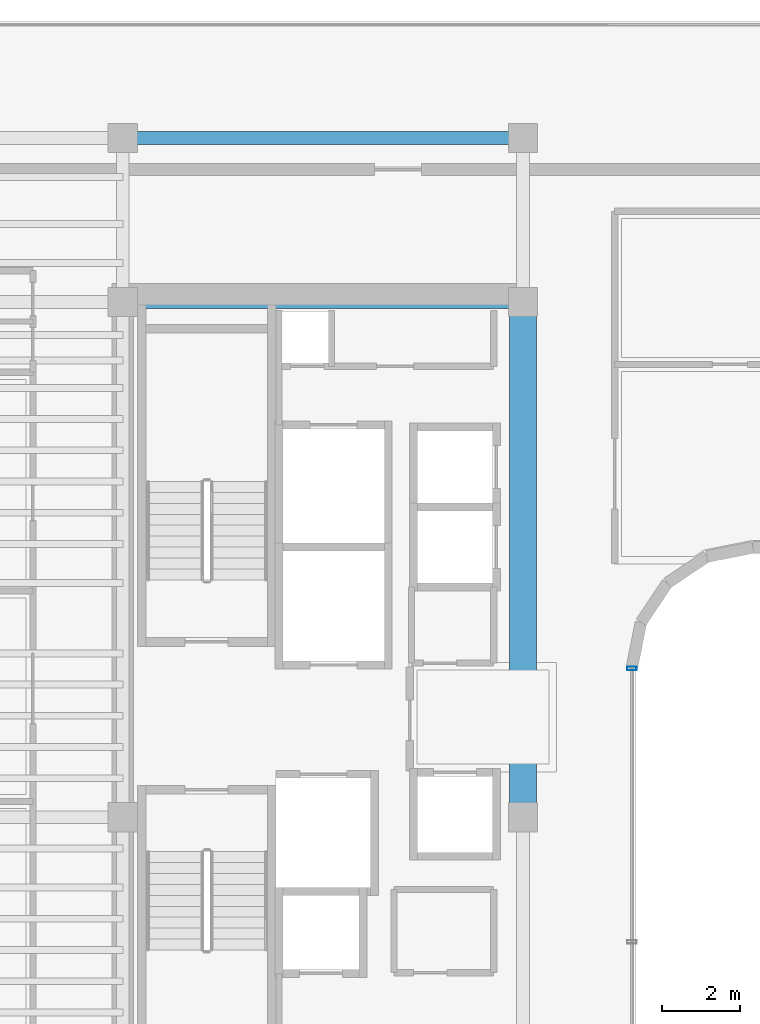
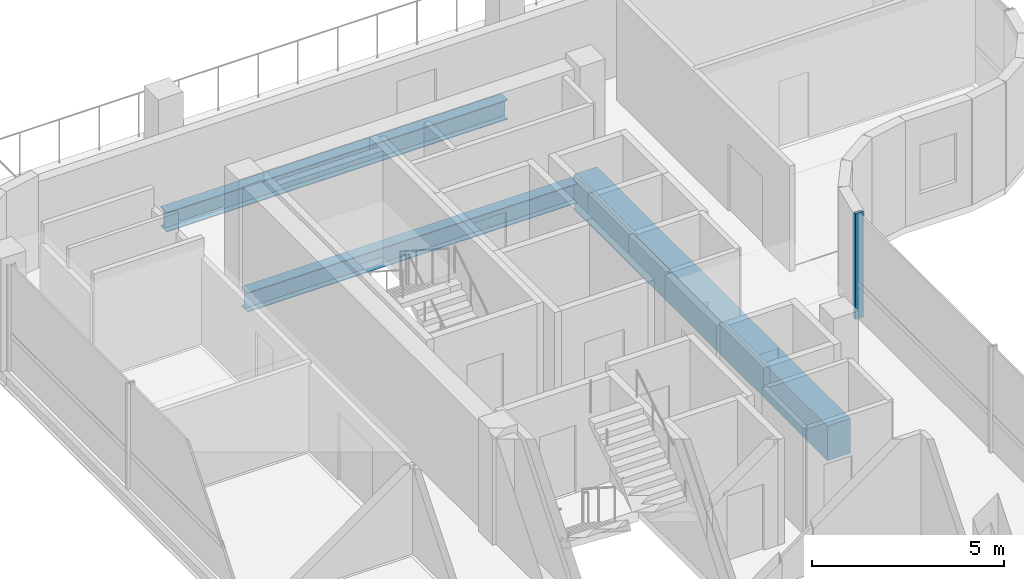
# One storey, part 6 of 13: 3 beams, 1 member, 1 element without a shape of its own.
"""IFC4 building model written with IfcOpenShell, lengths in metres."""

from ifc_helpers import new_model, si_unit, direction, frame, origin, origin_2d, place, context, subcontext, project, spatial, rectangle, hollow_rectangle, i_section, extrude, source, transform, mapped, material, material_profile, profile_set, type_object, element, aggregate, save


model = new_model("IFC4")

# Units and contexts
model_context = context("Model", 3, precision=1e-05, world=origin(), true_north=direction((0.0, 1.0)))
body_context = subcontext(model_context, "Body", "Model", "MODEL_VIEW")
ifc_project = project(units=[si_unit("LENGTHUNIT", "METRE"), si_unit("AREAUNIT", "SQUARE_METRE"), si_unit("VOLUMEUNIT", "CUBIC_METRE"), si_unit("PLANEANGLEUNIT", "RADIAN"), si_unit("MASSUNIT", "GRAM", prefix="KILO")], contexts=[model_context])

# Site, building, storey
site_placement = place(None, origin())
site = spatial("IfcSite", under=ifc_project, at=site_placement, CompositionType="ELEMENT")
building_placement = place(site_placement, origin())
building = spatial("IfcBuilding", under=site, at=building_placement, Name="Valdorenza Pilgrim Sanctuary Tower", CompositionType="ELEMENT")
storey_placement = place(building_placement, frame((0.0, 0.0, 290.60009765625)))
storey = spatial("IfcBuildingStorey", under=building, at=storey_placement, Name="L76", CompositionType="ELEMENT", Elevation=290.60009765625)

# Beams
ifc_material_1 = material(Name="Concrete C50/60", Category="concrete")
ifc_material_profile_1 = material_profile(ifc_material_1, rectangle(XDim=0.699951171875, YDim=1.10009765625, at=origin_2d()), Name="RC 1100x700")
ifc_profile_set_1 = profile_set([ifc_material_profile_1], Name="Concrete C50/60")
beam_type_1 = type_object("IfcBeamType", Name="STR-BM-LNT-1100", PredefinedType="LINTEL", material=ifc_profile_set_1)
shared_shape_1 = source(origin(), body_context, "Body", "SweptSolid", [
    extrude(rectangle(XDim=0.699951171875, YDim=1.10009765625, at=origin_2d()), origin(), (0.0, 0.0, 1.0), 13.2001953125),
])
beam_placement = place(storey_placement, frame((-12.39990234375, -2.60009765625, -0.590087890625), z_axis=(0.0, 1.0, 0.0), x_axis=(-1.0, 0.0, 0.0)))
element("IfcBeam", 1, at=beam_placement, inside=storey, type_object=beam_type_1, Name="L76 Core A Coupling Lintel Girder", PredefinedType="LINTEL", context=body_context, shape_type="MappedRepresentation", body=[
    mapped(shared_shape_1, transform((0.0, 0.0, 0.0), x_axis=(1.0, 0.0, 0.0), y_axis=(0.0, 1.0, 0.0), z_axis=(0.0, 0.0, 1.0), scale=1.0)),
])
ifc_material_2 = material(Name="Steel ASTM A992 Grade 50", Category="steel")
ifc_material_profile_2 = material_profile(ifc_material_2, i_section(OverallWidth=0.326904296875, OverallDepth=0.6220703125, WebThickness=0.015380859375, FlangeThickness=0.0244140625, at=origin_2d()), Name="W24X131")
ifc_profile_set_2 = profile_set([ifc_material_profile_2], Name="Steel ASTM A992 Grade 50")
beam_type_2 = type_object("IfcBeamType", Name="STR-BM-GRD-W24A", PredefinedType="BEAM", material=ifc_profile_set_2)
shared_shape_2 = source(origin(), body_context, "Body", "SweptSolid", [
    extrude(i_section(OverallWidth=0.326904296875, OverallDepth=0.6220703125, WebThickness=0.015380859375, FlangeThickness=0.0244140625, at=origin_2d()), origin(), (0.0, 0.0, 1.0), 10.25),
])
for number, where, z_axis, x_axis, name in (
    (2, (-22.64990234375, 10.60009765625, -0.551025390625), (1.0, 0.0, 0.0), (0.0, 1.0, 0.0), "L76 Floor Girder CA-XC-N1"),
    (3, (-22.64990234375, 14.800048828125, -0.551025390625), (1.0, 0.0, 0.0), (0.0, 1.0, 0.0), "L76 Floor Girder CA-XC-N2"),
):
    element("IfcBeam", number, at=place(storey_placement, frame(where, z_axis=z_axis, x_axis=x_axis)), inside=storey, type_object=beam_type_2, Name=name, PredefinedType="BEAM", context=body_context, shape_type="MappedRepresentation", body=[
        mapped(shared_shape_2, transform((0.0, 0.0, 0.0), x_axis=(1.0, 0.0, 0.0), y_axis=(0.0, 1.0, 0.0), z_axis=(0.0, 0.0, 1.0), scale=1.0)),
    ])

# Curtain wall, member
ifc_material_3 = material(Name="Curtain-wall IGU glazing", Category="glass")
curtain_wall_type = type_object("IfcCurtainWallType", Name="CW-SYS-04", PredefinedType="NOTDEFINED", material=ifc_material_3)
curtain_wall_placement = place(storey_placement, origin())
curtain_wall = element("IfcCurtainWall", 4, at=curtain_wall_placement, inside=storey, type_object=curtain_wall_type, Name="L76 Curtain Wall CW-L76-1-21", PredefinedType="NOTDEFINED")
ifc_material_4 = material(Name="Anodised aluminium AW-6060", Category="aluminium")
ifc_material_profile_3 = material_profile(ifc_material_4, hollow_rectangle(XDim=0.090087890625, YDim=0.239990234375, WallThickness=0.0048828125, at=origin_2d()), Name="ALU-M 240x90x5")
ifc_profile_set_3 = profile_set([ifc_material_profile_3], Name="Anodised aluminium AW-6060")
member_type = type_object("IfcMemberType", Name="CW-MUL-04", PredefinedType="MULLION", material=ifc_profile_set_3)
shared_shape_3 = source(origin(), body_context, "Body", "SweptSolid", [
    extrude(hollow_rectangle(XDim=0.090087890625, YDim=0.239990234375, WallThickness=0.0048828125, at=origin_2d()), origin(), (0.0, 0.0, 1.0), 3.35986328125),
])
member_placement = place(storey_placement, frame((-9.610107421875, 1.210693359375, 0.0), z_axis=(0.0, 0.0, 1.0), x_axis=(0.0, -1.0, 0.0)))
member = element("IfcMember", 5, at=member_placement, type_object=member_type, Name="CW-L76-1-21 Mullion 1", PredefinedType="MULLION", context=body_context, shape_type="MappedRepresentation", body=[
    mapped(shared_shape_3, transform((0.0, 0.0, 0.0), x_axis=(1.0, 0.0, 0.0), y_axis=(0.0, 1.0, 0.0), z_axis=(0.0, 0.0, 1.0), scale=1.0)),
])
aggregate(curtain_wall, [member])

save(model, "model.ifc")
